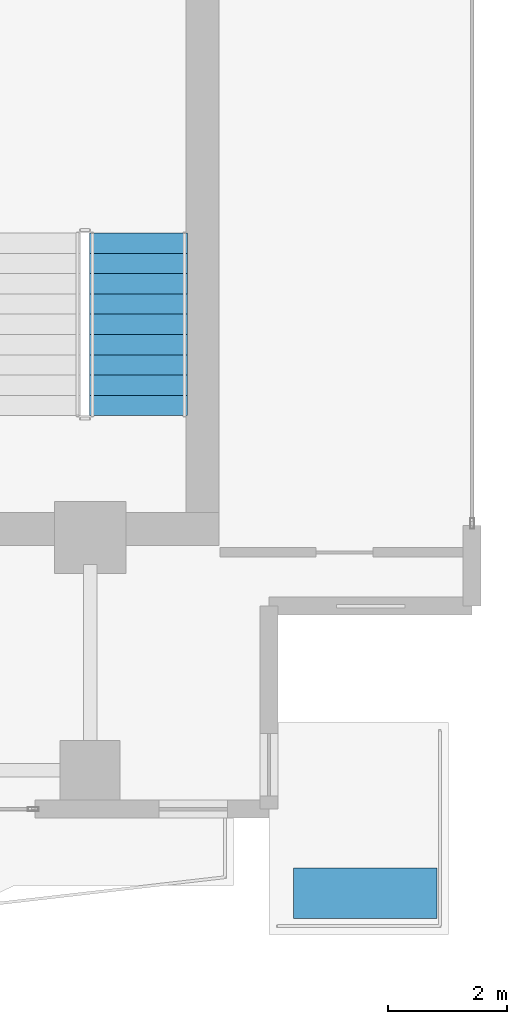
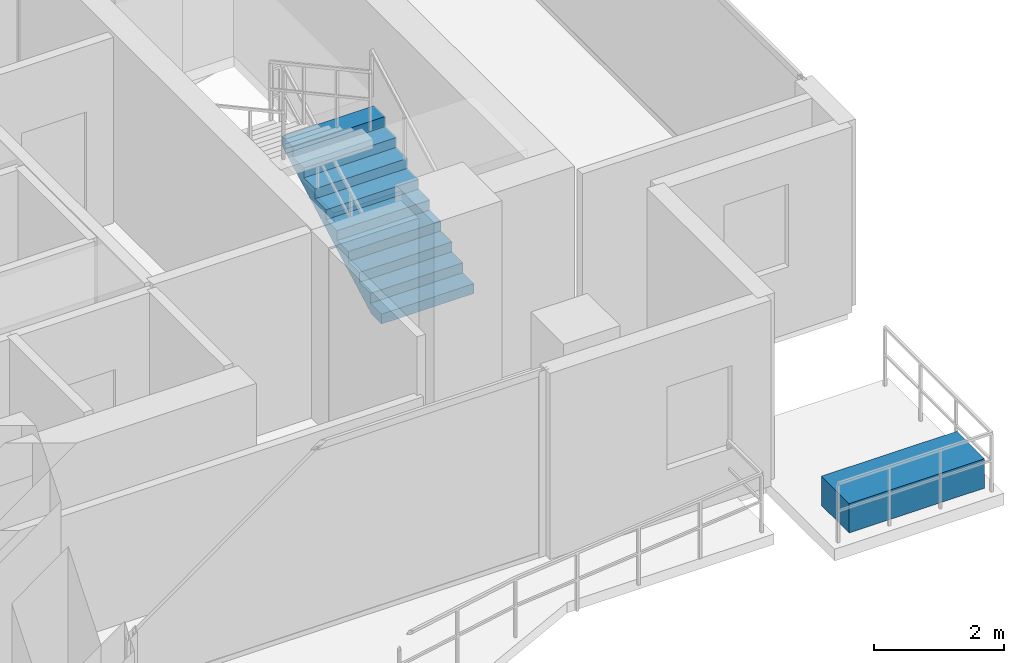
# One storey, part 23 of 26: 1 building element part, 1 stair flight, 1 element without a shape of its own.
"""IFC4 building model written with IfcOpenShell, lengths in metres."""

from ifc_helpers import new_model, si_unit, direction, frame, origin, origin_2d, place, context, subcontext, project, spatial, polyline, rectangle, outline, extrude, material, layer, layer_set, type_object, element, aggregate, save


model = new_model("IFC4")

# Units and contexts
model_context = context("Model", 3, precision=1e-05, world=origin(), true_north=direction((0.0, 1.0)))
body_context = subcontext(model_context, "Body", "Model", "MODEL_VIEW")
ifc_project = project(units=[si_unit("LENGTHUNIT", "METRE"), si_unit("AREAUNIT", "SQUARE_METRE"), si_unit("VOLUMEUNIT", "CUBIC_METRE"), si_unit("PLANEANGLEUNIT", "RADIAN"), si_unit("MASSUNIT", "GRAM", prefix="KILO")], contexts=[model_context])

# Site, building, storey
site_placement = place(None, origin())
site = spatial("IfcSite", under=ifc_project, at=site_placement, CompositionType="ELEMENT")
building_placement = place(site_placement, origin())
building = spatial("IfcBuilding", under=site, at=building_placement, Name="Zuhayl Quay Hotel", CompositionType="ELEMENT")
storey_placement = place(building_placement, frame((0.0, 0.0, 254.449951171875)))
storey = spatial("IfcBuildingStorey", under=building, at=storey_placement, Name="L64", CompositionType="ELEMENT", Elevation=254.449951171875)

# Stair, stair flight
ifc_material_1 = material(Name="Concrete C45/55", Category="concrete")
stair_type = type_object("IfcStairType", Name="ST_DOGLEG_TOWER", PredefinedType="HALF_TURN_STAIR", material=ifc_material_1)
stair_placement = place(storey_placement, origin())
stair = element("IfcStair", 1, at=stair_placement, inside=storey, type_object=stair_type, Name="L64 Smokeproof Exit Stair ST2", PredefinedType="HALF_TURN_STAIR")
ifc_layer_1 = layer(ifc_material_1, 0.159912109375, Name="Concrete C45/55", Category="concrete")
ifc_layer_set_1 = layer_set([ifc_layer_1], Name="Concrete C45/55")
stair_flight_type = type_object("IfcStairFlightType", Name="SF_CONC_164", PredefinedType="STRAIGHT", material=ifc_layer_set_1)
stair_flight_placement = place(storey_placement, frame((14.610107421875, 6.590087890625, 0.0), z_axis=(0.0, 0.0, 1.0), x_axis=(0.0, 1.0, 0.0)))
stair_flight = element("IfcStairFlight", 2, at=stair_flight_placement, type_object=stair_flight_type, Name="ST2 flight 1", NumberOfRisers=10, NumberOfTreads=9, PredefinedType="STRAIGHT", RiserHeight=0.185, TreadLength=0.34, context=body_context, shape_type="SweptSolid", body=[
    extrude(outline(polyline([(0.0, 0.0), (0.0, 0.18505859375), (0.340087890625, 0.18505859375), (0.340087890625, 0.3701171875), (0.679931640625, 0.3701171875), (0.679931640625, 0.554931640625), (1.02001953125, 0.554931640625), (1.02001953125, 0.739990234375), (1.360107421875, 0.739990234375), (1.360107421875, 0.925048828125), (1.699951171875, 0.925048828125), (1.699951171875, 1.110107421875), (2.0400390625, 1.110107421875), (2.0400390625, 1.294921875), (2.3798828125, 1.294921875), (2.3798828125, 1.47998046875), (2.719970703125, 1.47998046875), (2.719970703125, 1.6650390625), (3.06005859375, 1.6650390625), (3.06005859375, 1.85009765625), (3.06005859375, 1.494384765625), (0.313720703125, 0.0), (0.0, 0.0)])), frame((0.0, 0.81982421875, 0.0), z_axis=(0.0, -1.0, 0.0), x_axis=(1.0, 0.0, 0.0)), (0.0, 0.0, 1.0), 1.639892578125),
])
aggregate(stair, [stair_flight])

# Building element part
ifc_material_2 = material(Name="Precast concrete C45/55", Category="concrete")
ifc_layer_2 = layer(ifc_material_2, 0.550048828125, Name="Precast concrete C45/55", Category="concrete")
ifc_layer_set_2 = layer_set([ifc_layer_2], Name="Precast concrete C45/55")
building_element_part_type = type_object("IfcBuildingElementPartType", Name="PT_PLANTER_KERB", PredefinedType="PRECASTPANEL", material=ifc_layer_set_2)
building_element_part_placement = place(storey_placement, frame((18.409912109375, -1.409912109375, 0.0), z_axis=(0.0, 0.0, 1.0), x_axis=(1.0, 0.0, 0.0)))
element("IfcBuildingElementPart", 3, at=building_element_part_placement, inside=storey, type_object=building_element_part_type, Name="L64 Spiral Sky-Terrace Planter Box SE", PredefinedType="PRECASTPANEL", context=body_context, shape_type="SweptSolid", body=[
    extrude(rectangle(XDim=2.39990234375, YDim=0.85009765625, at=origin_2d()), origin(), (0.0, 0.0, 1.0), 0.550048828125),
])

save(model, "model.ifc")
